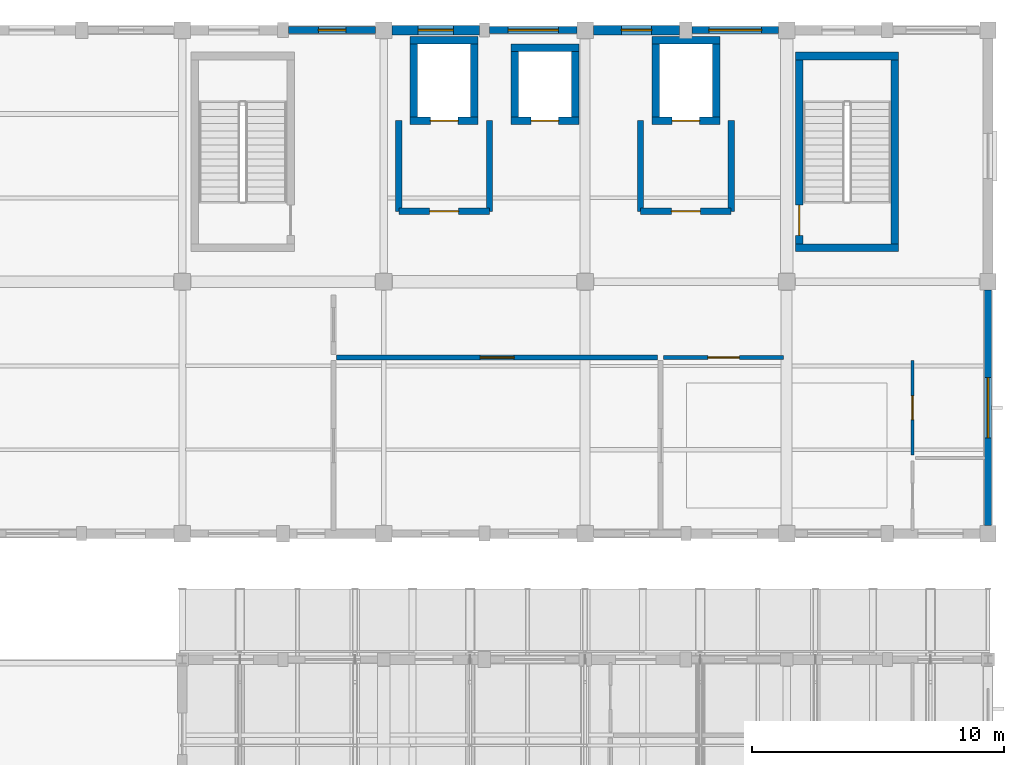
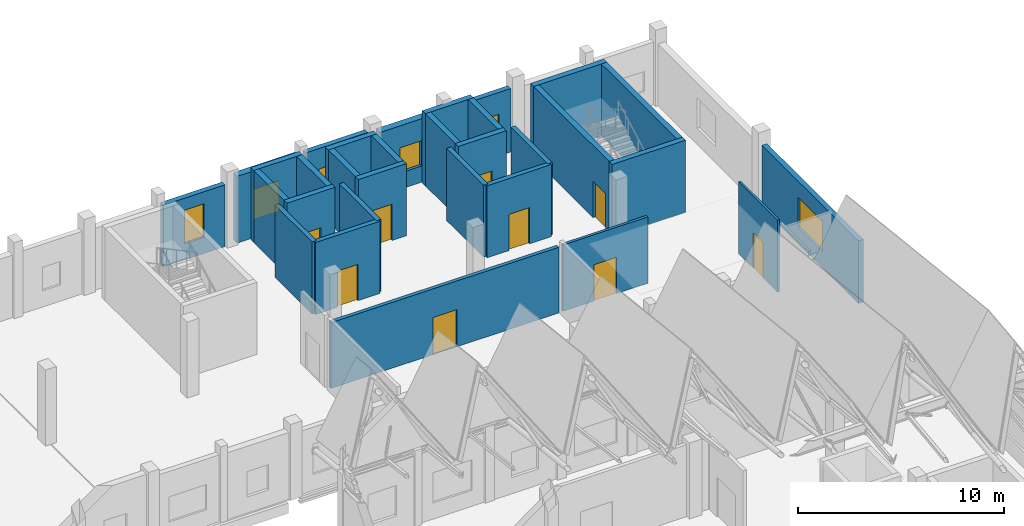
# One storey, part 35 of 48: 31 walls, 9 doors, 6 windows, 15 openings.
"""IFC4 building model written with IfcOpenShell, lengths in metres."""

from ifc_helpers import new_model, si_unit, direction, frame, frame_2d, origin, place, context, subcontext, project, spatial, rectangle, extrude, material, layer, layer_set, type_object, element, fill, save


model = new_model("IFC4")

# Units and contexts
model_context = context("Model", 3, precision=1e-05, world=origin(), true_north=direction((0.0, 1.0)))
body_context = subcontext(model_context, "Body", "Model", "MODEL_VIEW")
ifc_project = project(units=[si_unit("LENGTHUNIT", "METRE"), si_unit("AREAUNIT", "SQUARE_METRE"), si_unit("VOLUMEUNIT", "CUBIC_METRE"), si_unit("PLANEANGLEUNIT", "RADIAN"), si_unit("MASSUNIT", "GRAM", prefix="KILO")], contexts=[model_context])

# Site, building, storey
site_placement = place(None, origin())
site = spatial("IfcSite", under=ifc_project, at=site_placement, CompositionType="ELEMENT")
building_placement = place(site_placement, origin())
building = spatial("IfcBuilding", under=site, at=building_placement, Name="Luwemba Playhouse", CompositionType="ELEMENT")
storey_placement = place(building_placement, frame((0.0, 0.0, 13.800048828125)))
storey = spatial("IfcBuildingStorey", under=building, at=storey_placement, Name="L03", CompositionType="ELEMENT", Elevation=13.800048828125)

# Wall, opening, window
ifc_material_1 = material(Name="Clay facing brick obra vista masonry", Category="masonry")
ifc_layer_1 = layer(ifc_material_1, 0.3798828125)
ifc_layer_set_1 = layer_set([ifc_layer_1], Name="Clay facing brick obra vista masonry")
wall_type_1 = type_object("IfcWallType", Name="WAL-BRK-380", PredefinedType="SOLIDWALL", material=ifc_layer_set_1)
wall_1_placement = place(storey_placement, frame((148.324951171875, 115.0, 0.0), z_axis=(0.0, 0.0, 1.0), x_axis=(1.0, 0.0, 0.0)))
wall_1 = element("IfcWall", 1, at=wall_1_placement, inside=storey, type_object=wall_type_1, Name="L03 V6E exterior facade wall 0456", PredefinedType="SOLIDWALL", context=body_context, shape_type="SweptSolid", body=[
    extrude(rectangle(XDim=3.47509765625, YDim=0.3798828125, at=frame_2d((1.737548828125, 0.0))), origin(), (0.0, 0.0, 1.0), 3.954833984375),
])
opening_1_placement = place(wall_1_placement, frame((1.03759765625, 0.0, 0.949951171875)))
opening_1 = element("IfcOpeningElement", 2, at=opening_1_placement, cuts=wall_1, Name="Opening WN-02", PredefinedType="OPENING", context=body_context, shape_type="SweptSolid", body=[
    extrude(rectangle(XDim=1.39990234375, YDim=1.800048828125, at=frame_2d((0.699951171875, 0.89990234375))), frame((0.0, 0.199951171875, 0.0), z_axis=(0.0, -1.0, 0.0), x_axis=(1.0, 0.0, 0.0)), (0.0, 0.0, 1.0), 0.39990234375),
])
ifc_material_2 = material(Name="Solar-control double glazing in aluminium frame", Category="aluminium")
window_type_1 = type_object("IfcWindowType", Name="WIN-WN-02", PartitioningType="DOUBLE_PANEL_VERTICAL", PredefinedType="WINDOW", material=ifc_material_2)
window_1_placement = place(opening_1_placement, origin())
window_1 = element("IfcWindow", 3, at=window_1_placement, inside=storey, type_object=window_type_1, Name="L03 V6E scheduled window 0396", OverallHeight=1.800048828125, OverallWidth=1.39990234375, PartitioningType="DOUBLE_PANEL_VERTICAL", PredefinedType="WINDOW", context=body_context, shape_type="SweptSolid", body=[
    extrude(rectangle(XDim=1.39990234375, YDim=1.800048828125, at=frame_2d((0.699951171875, 0.89990234375))), frame((0.0, 0.030029296875, 0.0), z_axis=(0.0, -1.0, 0.0), x_axis=(1.0, 0.0, 0.0)), (0.0, 0.0, 1.0), 0.06005859375),
])
fill(opening_1, window_1)

wall_2_placement = place(storey_placement, frame((156.324951171875, 115.0, 0.0), z_axis=(0.0, 0.0, 1.0), x_axis=(1.0, 0.0, 0.0)))
wall_2 = element("IfcWall", 4, at=wall_2_placement, inside=storey, type_object=wall_type_1, Name="L03 V6E exterior facade wall 0458", PredefinedType="SOLIDWALL", context=body_context, shape_type="SweptSolid", body=[
    extrude(rectangle(XDim=3.425048828125, YDim=0.3798828125, at=frame_2d((1.71240234375, 0.0))), origin(), (0.0, 0.0, 1.0), 3.7548828125),
])
opening_2_placement = place(wall_2_placement, frame((1.112548828125, 0.0, 0.949951171875)))
opening_2 = element("IfcOpeningElement", 5, at=opening_2_placement, cuts=wall_2, Name="Opening WN-08", PredefinedType="OPENING", context=body_context, shape_type="SweptSolid", body=[
    extrude(rectangle(XDim=1.199951171875, YDim=1.5, at=frame_2d((0.60009765625, 0.75))), frame((0.0, 0.199951171875, 0.0), z_axis=(0.0, -1.0, 0.0), x_axis=(1.0, 0.0, 0.0)), (0.0, 0.0, 1.0), 0.39990234375),
])
window_type_2 = type_object("IfcWindowType", Name="WIN-WN-08", PartitioningType="SINGLE_PANEL", PredefinedType="WINDOW", material=ifc_material_2)
window_2_placement = place(opening_2_placement, origin())
window_2 = element("IfcWindow", 6, at=window_2_placement, inside=storey, type_object=window_type_2, Name="L03 V6E scheduled window 0398", OverallHeight=1.5, OverallWidth=1.199951171875, PartitioningType="SINGLE_PANEL", PredefinedType="WINDOW", context=body_context, shape_type="SweptSolid", body=[
    extrude(rectangle(XDim=1.199951171875, YDim=1.5, at=frame_2d((0.60009765625, 0.75))), frame((0.0, 0.030029296875, 0.0), z_axis=(0.0, -1.0, 0.0), x_axis=(1.0, 0.0, 0.0)), (0.0, 0.0, 1.0), 0.06005859375),
])
fill(opening_2, window_2)

# Walls
ifc_material_3 = material(Name="Concrete C40/50", Category="concrete")
ifc_layer_2 = layer(ifc_material_3, 0.300048828125)
ifc_layer_set_2 = layer_set([ifc_layer_2], Name="Concrete C40/50")
wall_type_2 = type_object("IfcWallType", Name="WAL-CORE-300", PredefinedType="SHEAR", material=ifc_layer_set_2)
for number, where, z_axis, x_axis, name in (
    (7, (164.35009765625, 106.35009765625, 0.0), (0.0, 0.0, 1.0), (1.0, 0.0, 0.0), "L03 ST-10 stair core wall S"),
    (8, (168.449951171875, 113.969970703125, 0.0), (0.0, 0.0, 1.0), (-1.0, 0.0, 0.0), "L03 ST-10 stair core wall N"),
):
    element("IfcWall", number, at=place(storey_placement, frame(where, z_axis=z_axis, x_axis=x_axis)), inside=storey, type_object=wall_type_2, Name=name, PredefinedType="SHEAR", context=body_context, shape_type="SweptSolid", body=[
        extrude(rectangle(XDim=4.099853515625, YDim=0.300048828125, at=frame_2d((2.0498046875, 0.0))), origin(), (0.0, 0.0, 1.0), 4.27001953125),
    ])

# Wall, opening, door
wall_3_placement = place(storey_placement, frame((164.5, 113.820068359375, 0.0), z_axis=(0.0, 0.0, 1.0), x_axis=(0.0, -1.0, 0.0)))
wall_3 = element("IfcWall", 9, at=wall_3_placement, inside=storey, type_object=wall_type_2, Name="L03 ST-10 stair core wall W", PredefinedType="SHEAR", context=body_context, shape_type="SweptSolid", body=[
    extrude(rectangle(XDim=7.320068359375, YDim=0.300048828125, at=frame_2d((3.66015625, 0.0))), origin(), (0.0, 0.0, 1.0), 4.27001953125),
])
opening_3_placement = place(wall_3_placement, frame((5.77001953125, 0.0, 0.0)))
opening_3 = element("IfcOpeningElement", 10, at=opening_3_placement, cuts=wall_3, Name="Opening D-STAIR3", PredefinedType="OPENING", context=body_context, shape_type="SweptSolid", body=[
    extrude(rectangle(XDim=1.199951171875, YDim=2.14990234375, at=frame_2d((0.60009765625, 1.074951171875))), frame((0.0, 0.159912109375, 0.0), z_axis=(0.0, -1.0, 0.0), x_axis=(1.0, 0.0, 0.0)), (0.0, 0.0, 1.0), 0.320068359375),
])
ifc_material_4 = material(Name="Hardwood acoustic fire door leaf", Category="wood")
door_type_1 = type_object("IfcDoorType", Name="DR-STAIR-120", OperationType="NOTDEFINED", PredefinedType="DOOR", material=ifc_material_4)
door_1_placement = place(opening_3_placement, origin())
door_1 = element("IfcDoor", 11, at=door_1_placement, inside=storey, type_object=door_type_1, Name="L03 ST-10 protected stair entry door", OperationType="SINGLE_SWING_LEFT", OverallHeight=2.14990234375, OverallWidth=1.199951171875, PredefinedType="DOOR", context=body_context, shape_type="SweptSolid", body=[
    extrude(rectangle(XDim=1.199951171875, YDim=2.14990234375, at=frame_2d((0.60009765625, 1.074951171875))), frame((0.0, 0.02490234375, 0.0), z_axis=(0.0, -1.0, 0.0), x_axis=(1.0, 0.0, 0.0)), (0.0, 0.0, 1.0), 0.050048828125),
])
fill(opening_3, door_1)

# Wall
wall_4_placement = place(storey_placement, frame((168.300048828125, 113.820068359375, 0.0), z_axis=(0.0, 0.0, 1.0), x_axis=(0.0, -1.0, 0.0)))
element("IfcWall", 12, at=wall_4_placement, inside=storey, type_object=wall_type_2, Name="L03 ST-10 stair core wall E", PredefinedType="SHEAR", context=body_context, shape_type="SweptSolid", body=[
    extrude(rectangle(XDim=7.320068359375, YDim=0.300048828125, at=frame_2d((3.66015625, 0.0))), origin(), (0.0, 0.0, 1.0), 4.27001953125),
])

# Wall, opening, door
wall_5_placement = place(storey_placement, frame((149.050048828125, 111.39990234375, 0.0), z_axis=(0.0, 0.0, 1.0), x_axis=(1.0, 0.0, 0.0)))
wall_5 = element("IfcWall", 13, at=wall_5_placement, inside=storey, type_object=wall_type_2, Name="L03 Lift LF-FF1 shaft wall S", PredefinedType="SHEAR", context=body_context, shape_type="SweptSolid", body=[
    extrude(rectangle(XDim=2.699951171875, YDim=0.300048828125, at=frame_2d((1.35009765625, 0.0))), origin(), (0.0, 0.0, 1.0), 4.27001953125),
])
opening_4_placement = place(wall_5_placement, frame((0.800048828125, 0.0, 0.0)))
opening_4 = element("IfcOpeningElement", 14, at=opening_4_placement, cuts=wall_5, Name="Opening LD-01", PredefinedType="OPENING", context=body_context, shape_type="SweptSolid", body=[
    extrude(rectangle(XDim=1.10009765625, YDim=2.14990234375, at=frame_2d((0.550048828125, 1.074951171875))), frame((0.0, 0.159912109375, 0.0), z_axis=(0.0, -1.0, 0.0), x_axis=(1.0, 0.0, 0.0)), (0.0, 0.0, 1.0), 0.320068359375),
])
ifc_material_5 = material(Name="Stainless steel lift landing doors", Category="steel")
door_type_2 = type_object("IfcDoorType", Name="DR-LIFT-110", OperationType="NOTDEFINED", PredefinedType="DOOR", material=ifc_material_5)
door_2_placement = place(opening_4_placement, origin())
door_2 = element("IfcDoor", 15, at=door_2_placement, inside=storey, type_object=door_type_2, Name="L03 Lift LF-FF1 landing door", OperationType="DOUBLE_DOOR_SLIDING", OverallHeight=2.14990234375, OverallWidth=1.10009765625, PredefinedType="DOOR", context=body_context, shape_type="SweptSolid", body=[
    extrude(rectangle(XDim=1.10009765625, YDim=2.14990234375, at=frame_2d((0.550048828125, 1.074951171875))), frame((0.0, 0.02490234375, 0.0), z_axis=(0.0, -1.0, 0.0), x_axis=(1.0, 0.0, 0.0)), (0.0, 0.0, 1.0), 0.050048828125),
])
fill(opening_4, door_2)

# Walls
wall_6_placement = place(storey_placement, frame((151.75, 114.60009765625, 0.0), z_axis=(0.0, 0.0, 1.0), x_axis=(-1.0, 0.0, 0.0)))
element("IfcWall", 16, at=wall_6_placement, inside=storey, type_object=wall_type_2, Name="L03 Lift LF-FF1 shaft wall N", PredefinedType="SHEAR", context=body_context, shape_type="SweptSolid", body=[
    extrude(rectangle(XDim=2.699951171875, YDim=0.300048828125, at=frame_2d((1.35009765625, 0.0))), origin(), (0.0, 0.0, 1.0), 4.27001953125),
])
for number, where, z_axis, x_axis, name in (
    (17, (149.199951171875, 111.550048828125, 0.0), (0.0, 0.0, 1.0), (0.0, 1.0, 0.0), "L03 Lift LF-FF1 shaft wall W"),
    (18, (151.60009765625, 114.449951171875, 0.0), (0.0, 0.0, 1.0), (0.0, -1.0, 0.0), "L03 Lift LF-FF1 shaft wall E"),
):
    element("IfcWall", number, at=place(storey_placement, frame(where, z_axis=z_axis, x_axis=x_axis)), inside=storey, type_object=wall_type_2, Name=name, PredefinedType="SHEAR", context=body_context, shape_type="SweptSolid", body=[
        extrude(rectangle(XDim=2.89990234375, YDim=0.300048828125, at=frame_2d((1.449951171875, 0.0))), origin(), (0.0, 0.0, 1.0), 4.27001953125),
    ])

# Wall, opening, door
wall_7_placement = place(storey_placement, frame((158.64990234375, 111.39990234375, 0.0), z_axis=(0.0, 0.0, 1.0), x_axis=(1.0, 0.0, 0.0)))
wall_7 = element("IfcWall", 19, at=wall_7_placement, inside=storey, type_object=wall_type_2, Name="L03 Lift LF-FF2 shaft wall S", PredefinedType="SHEAR", context=body_context, shape_type="SweptSolid", body=[
    extrude(rectangle(XDim=2.7001953125, YDim=0.300048828125, at=frame_2d((1.35009765625, 0.0))), origin(), (0.0, 0.0, 1.0), 4.27001953125),
])
opening_5_placement = place(wall_7_placement, frame((0.800048828125, 0.0, 0.0)))
opening_5 = element("IfcOpeningElement", 20, at=opening_5_placement, cuts=wall_7, Name="Opening LD-01", PredefinedType="OPENING", context=body_context, shape_type="SweptSolid", body=[
    extrude(rectangle(XDim=1.10009765625, YDim=2.14990234375, at=frame_2d((0.550048828125, 1.074951171875))), frame((0.0, 0.159912109375, 0.0), z_axis=(0.0, -1.0, 0.0), x_axis=(1.0, 0.0, 0.0)), (0.0, 0.0, 1.0), 0.320068359375),
])
door_3_placement = place(opening_5_placement, origin())
door_3 = element("IfcDoor", 21, at=door_3_placement, inside=storey, type_object=door_type_2, Name="L03 Lift LF-FF2 landing door", OperationType="DOUBLE_DOOR_SLIDING", OverallHeight=2.14990234375, OverallWidth=1.10009765625, PredefinedType="DOOR", context=body_context, shape_type="SweptSolid", body=[
    extrude(rectangle(XDim=1.10009765625, YDim=2.14990234375, at=frame_2d((0.550048828125, 1.074951171875))), frame((0.0, 0.02490234375, 0.0), z_axis=(0.0, -1.0, 0.0), x_axis=(1.0, 0.0, 0.0)), (0.0, 0.0, 1.0), 0.050048828125),
])
fill(opening_5, door_3)

# Walls
wall_8_placement = place(storey_placement, frame((161.35009765625, 114.60009765625, 0.0), z_axis=(0.0, 0.0, 1.0), x_axis=(-1.0, 0.0, 0.0)))
element("IfcWall", 22, at=wall_8_placement, inside=storey, type_object=wall_type_2, Name="L03 Lift LF-FF2 shaft wall N", PredefinedType="SHEAR", context=body_context, shape_type="SweptSolid", body=[
    extrude(rectangle(XDim=2.7001953125, YDim=0.300048828125, at=frame_2d((1.35009765625, 0.0))), origin(), (0.0, 0.0, 1.0), 4.27001953125),
])
for number, where, z_axis, x_axis, name in (
    (23, (158.800048828125, 111.550048828125, 0.0), (0.0, 0.0, 1.0), (0.0, 1.0, 0.0), "L03 Lift LF-FF2 shaft wall W"),
    (24, (161.199951171875, 114.449951171875, 0.0), (0.0, 0.0, 1.0), (0.0, -1.0, 0.0), "L03 Lift LF-FF2 shaft wall E"),
):
    element("IfcWall", number, at=place(storey_placement, frame(where, z_axis=z_axis, x_axis=x_axis)), inside=storey, type_object=wall_type_2, Name=name, PredefinedType="SHEAR", context=body_context, shape_type="SweptSolid", body=[
        extrude(rectangle(XDim=2.89990234375, YDim=0.300048828125, at=frame_2d((1.449951171875, 0.0))), origin(), (0.0, 0.0, 1.0), 4.27001953125),
    ])

# Wall, opening, door
wall_9_placement = place(storey_placement, frame((153.050048828125, 111.39990234375, 0.0), z_axis=(0.0, 0.0, 1.0), x_axis=(1.0, 0.0, 0.0)))
wall_9 = element("IfcWall", 25, at=wall_9_placement, inside=storey, type_object=wall_type_2, Name="L03 Lift LF-P6 shaft wall S", PredefinedType="SHEAR", context=body_context, shape_type="SweptSolid", body=[
    extrude(rectangle(XDim=2.699951171875, YDim=0.300048828125, at=frame_2d((1.35009765625, 0.0))), origin(), (0.0, 0.0, 1.0), 4.27001953125),
])
opening_6_placement = place(wall_9_placement, frame((0.800048828125, 0.0, 0.0)))
opening_6 = element("IfcOpeningElement", 26, at=opening_6_placement, cuts=wall_9, Name="Opening LD-01", PredefinedType="OPENING", context=body_context, shape_type="SweptSolid", body=[
    extrude(rectangle(XDim=1.10009765625, YDim=2.14990234375, at=frame_2d((0.550048828125, 1.074951171875))), frame((0.0, 0.159912109375, 0.0), z_axis=(0.0, -1.0, 0.0), x_axis=(1.0, 0.0, 0.0)), (0.0, 0.0, 1.0), 0.320068359375),
])
door_4_placement = place(opening_6_placement, origin())
door_4 = element("IfcDoor", 27, at=door_4_placement, inside=storey, type_object=door_type_2, Name="L03 Lift LF-P6 landing door", OperationType="DOUBLE_DOOR_SLIDING", OverallHeight=2.14990234375, OverallWidth=1.10009765625, PredefinedType="DOOR", context=body_context, shape_type="SweptSolid", body=[
    extrude(rectangle(XDim=1.10009765625, YDim=2.14990234375, at=frame_2d((0.550048828125, 1.074951171875))), frame((0.0, 0.02490234375, 0.0), z_axis=(0.0, -1.0, 0.0), x_axis=(1.0, 0.0, 0.0)), (0.0, 0.0, 1.0), 0.050048828125),
])
fill(opening_6, door_4)

# Walls
wall_10_placement = place(storey_placement, frame((155.75, 114.300048828125, 0.0), z_axis=(0.0, 0.0, 1.0), x_axis=(-1.0, 0.0, 0.0)))
element("IfcWall", 28, at=wall_10_placement, inside=storey, type_object=wall_type_2, Name="L03 Lift LF-P6 shaft wall N", PredefinedType="SHEAR", context=body_context, shape_type="SweptSolid", body=[
    extrude(rectangle(XDim=2.699951171875, YDim=0.300048828125, at=frame_2d((1.35009765625, 0.0))), origin(), (0.0, 0.0, 1.0), 4.27001953125),
])
for number, where, z_axis, x_axis, name in (
    (29, (153.199951171875, 111.550048828125, 0.0), (0.0, 0.0, 1.0), (0.0, 1.0, 0.0), "L03 Lift LF-P6 shaft wall W"),
    (30, (155.60009765625, 114.14990234375, 0.0), (0.0, 0.0, 1.0), (0.0, -1.0, 0.0), "L03 Lift LF-P6 shaft wall E"),
):
    element("IfcWall", number, at=place(storey_placement, frame(where, z_axis=z_axis, x_axis=x_axis)), inside=storey, type_object=wall_type_2, Name=name, PredefinedType="SHEAR", context=body_context, shape_type="SweptSolid", body=[
        extrude(rectangle(XDim=2.599853515625, YDim=0.300048828125, at=frame_2d((1.2998046875, 0.0))), origin(), (0.0, 0.0, 1.0), 4.27001953125),
    ])

# Wall, opening, door
ifc_layer_3 = layer(ifc_material_3, 0.25)
ifc_layer_set_3 = layer_set([ifc_layer_3], Name="Concrete C40/50")
wall_type_3 = type_object("IfcWallType", Name="WAL-FFL-250", PredefinedType="SOLIDWALL", material=ifc_layer_set_3)
wall_11_placement = place(storey_placement, frame((152.199951171875, 107.800048828125, 0.0), z_axis=(0.0, 0.0, 1.0), x_axis=(-1.0, 0.0, 0.0)))
wall_11 = element("IfcWall", 31, at=wall_11_placement, inside=storey, type_object=wall_type_3, Name="L03 LF-FF1 firefighting lift lobby wall S", PredefinedType="SOLIDWALL", context=body_context, shape_type="SweptSolid", body=[
    extrude(rectangle(XDim=3.599853515625, YDim=0.25, at=frame_2d((1.7998046875, 0.0))), origin(), (0.0, 0.0, 1.0), 4.27001953125),
])
opening_7_placement = place(wall_11_placement, frame((1.22509765625, 0.0, 0.0)))
opening_7 = element("IfcOpeningElement", 32, at=opening_7_placement, cuts=wall_11, Name="Opening D-FD60", PredefinedType="OPENING", context=body_context, shape_type="SweptSolid", body=[
    extrude(rectangle(XDim=1.14990234375, YDim=2.14990234375, at=frame_2d((0.574951171875, 1.074951171875))), frame((0.0, 0.135009765625, 0.0), z_axis=(0.0, -1.0, 0.0), x_axis=(1.0, 0.0, 0.0)), (0.0, 0.0, 1.0), 0.27001953125),
])
ifc_material_6 = material(Name="Hardwood smoke-sealed fire door leaf", Category="wood")
door_type_3 = type_object("IfcDoorType", Name="DR-FFL-115", OperationType="NOTDEFINED", PredefinedType="DOOR", material=ifc_material_6)
door_5_placement = place(opening_7_placement, origin())
door_5 = element("IfcDoor", 33, at=door_5_placement, inside=storey, type_object=door_type_3, Name="L03 LF-FF1 firefighting lobby smoke door", OperationType="SINGLE_SWING_LEFT", OverallHeight=2.14990234375, OverallWidth=1.14990234375, PredefinedType="DOOR", context=body_context, shape_type="SweptSolid", body=[
    extrude(rectangle(XDim=1.14990234375, YDim=2.14990234375, at=frame_2d((0.574951171875, 1.074951171875))), frame((0.0, 0.02490234375, 0.0), z_axis=(0.0, -1.0, 0.0), x_axis=(1.0, 0.0, 0.0)), (0.0, 0.0, 1.0), 0.050048828125),
])
fill(opening_7, door_5)

# Walls
for number, where, z_axis, x_axis, name in (
    (34, (148.60009765625, 107.800048828125, 0.0), (0.0, 0.0, 1.0), (0.0, 1.0, 0.0), "L03 LF-FF1 firefighting lift lobby wall W"),
    (35, (152.199951171875, 111.39990234375, 0.0), (0.0, 0.0, 1.0), (0.0, -1.0, 0.0), "L03 LF-FF1 firefighting lift lobby wall E"),
):
    element("IfcWall", number, at=place(storey_placement, frame(where, z_axis=z_axis, x_axis=x_axis)), inside=storey, type_object=wall_type_3, Name=name, PredefinedType="SOLIDWALL", context=body_context, shape_type="SweptSolid", body=[
        extrude(rectangle(XDim=3.599853515625, YDim=0.25, at=frame_2d((1.7998046875, 0.0))), origin(), (0.0, 0.0, 1.0), 4.27001953125),
    ])

# Wall, opening, door
wall_12_placement = place(storey_placement, frame((161.800048828125, 107.800048828125, 0.0), z_axis=(0.0, 0.0, 1.0), x_axis=(-1.0, 0.0, 0.0)))
wall_12 = element("IfcWall", 36, at=wall_12_placement, inside=storey, type_object=wall_type_3, Name="L03 LF-FF2 firefighting lift lobby wall S", PredefinedType="SOLIDWALL", context=body_context, shape_type="SweptSolid", body=[
    extrude(rectangle(XDim=3.60009765625, YDim=0.25, at=frame_2d((1.800048828125, 0.0))), origin(), (0.0, 0.0, 1.0), 4.27001953125),
])
opening_8_placement = place(wall_12_placement, frame((1.22509765625, 0.0, 0.0)))
opening_8 = element("IfcOpeningElement", 37, at=opening_8_placement, cuts=wall_12, Name="Opening D-FD60", PredefinedType="OPENING", context=body_context, shape_type="SweptSolid", body=[
    extrude(rectangle(XDim=1.14990234375, YDim=2.14990234375, at=frame_2d((0.574951171875, 1.074951171875))), frame((0.0, 0.135009765625, 0.0), z_axis=(0.0, -1.0, 0.0), x_axis=(1.0, 0.0, 0.0)), (0.0, 0.0, 1.0), 0.27001953125),
])
door_6_placement = place(opening_8_placement, origin())
door_6 = element("IfcDoor", 38, at=door_6_placement, inside=storey, type_object=door_type_3, Name="L03 LF-FF2 firefighting lobby smoke door", OperationType="SINGLE_SWING_RIGHT", OverallHeight=2.14990234375, OverallWidth=1.14990234375, PredefinedType="DOOR", context=body_context, shape_type="SweptSolid", body=[
    extrude(rectangle(XDim=1.14990234375, YDim=2.14990234375, at=frame_2d((0.574951171875, 1.074951171875))), frame((0.0, 0.02490234375, 0.0), z_axis=(0.0, -1.0, 0.0), x_axis=(1.0, 0.0, 0.0)), (0.0, 0.0, 1.0), 0.050048828125),
])
fill(opening_8, door_6)

# Walls
for number, where, z_axis, x_axis, name in (
    (39, (158.199951171875, 107.800048828125, 0.0), (0.0, 0.0, 1.0), (0.0, 1.0, 0.0), "L03 LF-FF2 firefighting lift lobby wall W"),
    (40, (161.800048828125, 111.39990234375, 0.0), (0.0, 0.0, 1.0), (0.0, -1.0, 0.0), "L03 LF-FF2 firefighting lift lobby wall E"),
):
    element("IfcWall", number, at=place(storey_placement, frame(where, z_axis=z_axis, x_axis=x_axis)), inside=storey, type_object=wall_type_3, Name=name, PredefinedType="SOLIDWALL", context=body_context, shape_type="SweptSolid", body=[
        extrude(rectangle(XDim=3.599853515625, YDim=0.25, at=frame_2d((1.7998046875, 0.0))), origin(), (0.0, 0.0, 1.0), 4.27001953125),
    ])

# Wall, opening, door
ifc_material_7 = material(Name="Moisture-resistant sanitary partition", Category="gypsum")
ifc_layer_4 = layer(ifc_material_7, 0.1201171875)
ifc_layer_set_4 = layer_set([ifc_layer_4], Name="Moisture-resistant sanitary partition")
wall_type_4 = type_object("IfcWallType", Name="WAL-INT-120", PredefinedType="PARTITIONING", material=ifc_layer_set_4)
wall_13_placement = place(storey_placement, frame((169.0, 98.1201171875, 0.0), z_axis=(0.0, 0.0, 1.0), x_axis=(0.0, 1.0, 0.0)))
wall_13 = element("IfcWall", 41, at=wall_13_placement, inside=storey, type_object=wall_type_4, Name="L03 V6E interior partition 0214", PredefinedType="PARTITIONING", context=body_context, shape_type="SweptSolid", body=[
    extrude(rectangle(XDim=3.759765625, YDim=0.1201171875, at=frame_2d((1.8798828125, 0.0))), origin(), (0.0, 0.0, 1.0), 4.27001953125),
])
opening_9_placement = place(wall_13_placement, frame((1.405029296875, 0.0, 0.0)))
opening_9 = element("IfcOpeningElement", 42, at=opening_9_placement, cuts=wall_13, Name="Opening D-WC1", PredefinedType="OPENING", context=body_context, shape_type="SweptSolid", body=[
    extrude(rectangle(XDim=0.949951171875, YDim=2.10009765625, at=frame_2d((0.47509765625, 1.050048828125))), frame((0.0, 0.070068359375, 0.0), z_axis=(0.0, -1.0, 0.0), x_axis=(1.0, 0.0, 0.0)), (0.0, 0.0, 1.0), 0.14013671875),
])
ifc_material_8 = material(Name="Moisture-resistant laminate door", Category="wood")
door_type_4 = type_object("IfcDoorType", Name="DR-WC-095", OperationType="NOTDEFINED", PredefinedType="DOOR", material=ifc_material_8)
door_7_placement = place(opening_9_placement, origin())
door_7 = element("IfcDoor", 43, at=door_7_placement, inside=storey, type_object=door_type_4, Name="L03 Dramaturgy Seminar Room to Conservatory Level 3 Toilets door", OperationType="SINGLE_SWING_RIGHT", OverallHeight=2.10009765625, OverallWidth=0.949951171875, PredefinedType="DOOR", context=body_context, shape_type="SweptSolid", body=[
    extrude(rectangle(XDim=0.949951171875, YDim=2.10009765625, at=frame_2d((0.47509765625, 1.050048828125))), frame((0.0, 0.02490234375, 0.0), z_axis=(0.0, -1.0, 0.0), x_axis=(1.0, 0.0, 0.0)), (0.0, 0.0, 1.0), 0.050048828125),
])
fill(opening_9, door_7)

ifc_material_9 = material(Name="Acoustic gypsum stud partition", Category="gypsum")
ifc_layer_5 = layer(ifc_material_9, 0.14990234375)
ifc_layer_set_5 = layer_set([ifc_layer_5], Name="Acoustic gypsum stud partition")
wall_type_5 = type_object("IfcWallType", Name="WAL-INT-150", PredefinedType="PARTITIONING", material=ifc_layer_set_5)
wall_14_placement = place(storey_placement, frame((159.1201171875, 102.0, 0.0), z_axis=(0.0, 0.0, 1.0), x_axis=(1.0, 0.0, 0.0)))
wall_14 = element("IfcWall", 44, at=wall_14_placement, inside=storey, type_object=wall_type_5, Name="L03 V6E interior partition 0212", PredefinedType="PARTITIONING", context=body_context, shape_type="SweptSolid", body=[
    extrude(rectangle(XDim=4.759765625, YDim=0.14990234375, at=frame_2d((2.3798828125, 0.0))), origin(), (0.0, 0.0, 1.0), 3.925048828125),
])
opening_10_placement = place(wall_14_placement, frame((1.7548828125, 0.0, 0.0)))
opening_10 = element("IfcOpeningElement", 45, at=opening_10_placement, cuts=wall_14, Name="Opening D-IN1", PredefinedType="OPENING", context=body_context, shape_type="SweptSolid", body=[
    extrude(rectangle(XDim=1.25, YDim=2.14990234375, at=frame_2d((0.625, 1.074951171875))), frame((0.0, 0.0849609375, 0.0), z_axis=(0.0, -1.0, 0.0), x_axis=(1.0, 0.0, 0.0)), (0.0, 0.0, 1.0), 0.169921875),
])
ifc_material_10 = material(Name="Solid hardwood interior door", Category="wood")
door_type_5 = type_object("IfcDoorType", Name="DR-INT-125", OperationType="NOTDEFINED", PredefinedType="DOOR", material=ifc_material_10)
door_8_placement = place(opening_10_placement, origin())
door_8 = element("IfcDoor", 46, at=door_8_placement, inside=storey, type_object=door_type_5, Name="L03 Dramaturgy Seminar Room to Conservatory Level 3 Corridor door", OperationType="SINGLE_SWING_RIGHT", OverallHeight=2.14990234375, OverallWidth=1.25, PredefinedType="DOOR", context=body_context, shape_type="SweptSolid", body=[
    extrude(rectangle(XDim=1.25, YDim=2.14990234375, at=frame_2d((0.625, 1.074951171875))), frame((0.0, 0.02490234375, 0.0), z_axis=(0.0, -1.0, 0.0), x_axis=(1.0, 0.0, 0.0)), (0.0, 0.0, 1.0), 0.050048828125),
])
fill(opening_10, door_8)

ifc_material_11 = material(Name="Clay acoustic masonry blockwork", Category="masonry")
ifc_layer_6 = layer(ifc_material_11, 0.199951171875)
ifc_layer_set_6 = layer_set([ifc_layer_6], Name="Clay acoustic masonry blockwork")
wall_type_6 = type_object("IfcWallType", Name="WAL-INT-200", PredefinedType="PARTITIONING", material=ifc_layer_set_6)
wall_15_placement = place(storey_placement, frame((146.1201171875, 102.0, 0.0), z_axis=(0.0, 0.0, 1.0), x_axis=(1.0, 0.0, 0.0)))
wall_15 = element("IfcWall", 47, at=wall_15_placement, inside=storey, type_object=wall_type_6, Name="L03 V6E interior partition 0211", PredefinedType="PARTITIONING", context=body_context, shape_type="SweptSolid", body=[
    extrude(rectangle(XDim=12.759765625, YDim=0.199951171875, at=frame_2d((6.3798828125, 0.0))), origin(), (0.0, 0.0, 1.0), 3.89501953125),
])
opening_11_placement = place(wall_15_placement, frame((5.705078125, 0.0, 0.0)))
opening_11 = element("IfcOpeningElement", 48, at=opening_11_placement, cuts=wall_15, Name="Opening D-STU1", PredefinedType="OPENING", context=body_context, shape_type="SweptSolid", body=[
    extrude(rectangle(XDim=1.35009765625, YDim=2.199951171875, at=frame_2d((0.675048828125, 1.10009765625))), frame((0.0, 0.10986328125, 0.0), z_axis=(0.0, -1.0, 0.0), x_axis=(1.0, 0.0, 0.0)), (0.0, 0.0, 1.0), 0.219970703125),
])
ifc_material_12 = material(Name="Acoustic studio door", Category="wood")
door_type_6 = type_object("IfcDoorType", Name="DR-STU-135", OperationType="NOTDEFINED", PredefinedType="DOOR", material=ifc_material_12)
door_9_placement = place(opening_11_placement, origin())
door_9 = element("IfcDoor", 49, at=door_9_placement, inside=storey, type_object=door_type_6, Name="L03 Quiet Listening and Libretto Study Room to Conservatory Level 3 Corridor door", OperationType="SINGLE_SWING_LEFT", OverallHeight=2.199951171875, OverallWidth=1.35009765625, PredefinedType="DOOR", context=body_context, shape_type="SweptSolid", body=[
    extrude(rectangle(XDim=1.35009765625, YDim=2.199951171875, at=frame_2d((0.675048828125, 1.10009765625))), frame((0.0, 0.02490234375, 0.0), z_axis=(0.0, -1.0, 0.0), x_axis=(1.0, 0.0, 0.0)), (0.0, 0.0, 1.0), 0.050048828125),
])
fill(opening_11, door_9)

# Wall, opening, window
ifc_material_13 = material(Name="Structural timber GL24h infill", Category="wood")
ifc_layer_7 = layer(ifc_material_13, 0.280029296875)
ifc_layer_set_7 = layer_set([ifc_layer_7], Name="Structural timber GL24h infill")
wall_type_7 = type_object("IfcWallType", Name="WAL-TIM-280", PredefinedType="SOLIDWALL", material=ifc_layer_set_7)
wall_16_placement = place(storey_placement, frame((144.22509765625, 115.0, 0.0), z_axis=(0.0, 0.0, 1.0), x_axis=(1.0, 0.0, 0.0)))
wall_16 = element("IfcWall", 50, at=wall_16_placement, inside=storey, type_object=wall_type_7, Name="L03 V6E exterior facade wall 0455", PredefinedType="SOLIDWALL", context=body_context, shape_type="SweptSolid", body=[
    extrude(rectangle(XDim=3.449951171875, YDim=0.280029296875, at=frame_2d((1.72509765625, 0.0))), origin(), (0.0, 0.0, 1.0), 3.655029296875),
])
opening_12_placement = place(wall_16_placement, frame((1.175048828125, 0.0, 0.949951171875)))
opening_12 = element("IfcOpeningElement", 51, at=opening_12_placement, cuts=wall_16, Name="Opening WN-19", PredefinedType="OPENING", context=body_context, shape_type="SweptSolid", body=[
    extrude(rectangle(XDim=1.10009765625, YDim=2.0, at=frame_2d((0.550048828125, 1.0))), frame((0.0, 0.14990234375, 0.0), z_axis=(0.0, -1.0, 0.0), x_axis=(1.0, 0.0, 0.0)), (0.0, 0.0, 1.0), 0.300048828125),
])
window_type_3 = type_object("IfcWindowType", Name="WIN-WN-19", PartitioningType="SINGLE_PANEL", PredefinedType="WINDOW", material=ifc_material_2)
window_3_placement = place(opening_12_placement, origin())
window_3 = element("IfcWindow", 52, at=window_3_placement, inside=storey, type_object=window_type_3, Name="L03 V6E scheduled window 0395", OverallHeight=2.0, OverallWidth=1.10009765625, PartitioningType="SINGLE_PANEL", PredefinedType="WINDOW", context=body_context, shape_type="SweptSolid", body=[
    extrude(rectangle(XDim=1.10009765625, YDim=2.0, at=frame_2d((0.550048828125, 1.0))), frame((0.0, 0.030029296875, 0.0), z_axis=(0.0, -1.0, 0.0), x_axis=(1.0, 0.0, 0.0)), (0.0, 0.0, 1.0), 0.06005859375),
])
fill(opening_12, window_3)

wall_17_placement = place(storey_placement, frame((152.199951171875, 115.0, 0.0), z_axis=(0.0, 0.0, 1.0), x_axis=(1.0, 0.0, 0.0)))
wall_17 = element("IfcWall", 53, at=wall_17_placement, inside=storey, type_object=wall_type_7, Name="L03 V6E exterior facade wall 0457", PredefinedType="SOLIDWALL", context=body_context, shape_type="SweptSolid", body=[
    extrude(rectangle(XDim=3.47509765625, YDim=0.280029296875, at=frame_2d((1.737548828125, 0.0))), origin(), (0.0, 0.0, 1.0), 3.954833984375),
])
opening_13_placement = place(wall_17_placement, frame((0.737548828125, 0.0, 0.949951171875)))
opening_13 = element("IfcOpeningElement", 54, at=opening_13_placement, cuts=wall_17, Name="Opening WN-05", PredefinedType="OPENING", context=body_context, shape_type="SweptSolid", body=[
    extrude(rectangle(XDim=2.0, YDim=1.800048828125, at=frame_2d((1.0, 0.89990234375))), frame((0.0, 0.14990234375, 0.0), z_axis=(0.0, -1.0, 0.0), x_axis=(1.0, 0.0, 0.0)), (0.0, 0.0, 1.0), 0.300048828125),
])
window_type_4 = type_object("IfcWindowType", Name="WIN-WN-05", PartitioningType="TRIPLE_PANEL_VERTICAL", PredefinedType="WINDOW", material=ifc_material_2)
window_4_placement = place(opening_13_placement, origin())
window_4 = element("IfcWindow", 55, at=window_4_placement, inside=storey, type_object=window_type_4, Name="L03 V6E scheduled window 0397", OverallHeight=1.800048828125, OverallWidth=2.0, PartitioningType="TRIPLE_PANEL_VERTICAL", PredefinedType="WINDOW", context=body_context, shape_type="SweptSolid", body=[
    extrude(rectangle(XDim=2.0, YDim=1.800048828125, at=frame_2d((1.0, 0.89990234375))), frame((0.0, 0.030029296875, 0.0), z_axis=(0.0, -1.0, 0.0), x_axis=(1.0, 0.0, 0.0)), (0.0, 0.0, 1.0), 0.06005859375),
])
fill(opening_13, window_4)

wall_18_placement = place(storey_placement, frame((160.25, 115.0, 0.0), z_axis=(0.0, 0.0, 1.0), x_axis=(1.0, 0.0, 0.0)))
wall_18 = element("IfcWall", 56, at=wall_18_placement, inside=storey, type_object=wall_type_7, Name="L03 V6E exterior facade wall 0459", PredefinedType="SOLIDWALL", context=body_context, shape_type="SweptSolid", body=[
    extrude(rectangle(XDim=3.425048828125, YDim=0.280029296875, at=frame_2d((1.71240234375, 0.0))), origin(), (0.0, 0.0, 1.0), 3.7548828125),
])
opening_14_placement = place(wall_18_placement, frame((0.66259765625, 0.0, 0.949951171875)))
opening_14 = element("IfcOpeningElement", 57, at=opening_14_placement, cuts=wall_18, Name="Opening WN-11", PredefinedType="OPENING", context=body_context, shape_type="SweptSolid", body=[
    extrude(rectangle(XDim=2.10009765625, YDim=1.5, at=frame_2d((1.050048828125, 0.75))), frame((0.0, 0.14990234375, 0.0), z_axis=(0.0, -1.0, 0.0), x_axis=(1.0, 0.0, 0.0)), (0.0, 0.0, 1.0), 0.300048828125),
])
window_type_5 = type_object("IfcWindowType", Name="WIN-WN-11", PartitioningType="TRIPLE_PANEL_VERTICAL", PredefinedType="WINDOW", material=ifc_material_2)
window_5_placement = place(opening_14_placement, origin())
window_5 = element("IfcWindow", 58, at=window_5_placement, inside=storey, type_object=window_type_5, Name="L03 V6E scheduled window 0399", OverallHeight=1.5, OverallWidth=2.10009765625, PartitioningType="TRIPLE_PANEL_VERTICAL", PredefinedType="WINDOW", context=body_context, shape_type="SweptSolid", body=[
    extrude(rectangle(XDim=2.10009765625, YDim=1.5, at=frame_2d((1.050048828125, 0.75))), frame((0.0, 0.030029296875, 0.0), z_axis=(0.0, -1.0, 0.0), x_axis=(1.0, 0.0, 0.0)), (0.0, 0.0, 1.0), 0.06005859375),
])
fill(opening_14, window_5)

wall_19_placement = place(storey_placement, frame((172.0, 104.675048828125, 0.0), z_axis=(0.0, 0.0, 1.0), x_axis=(0.0, -1.0, 0.0)))
wall_19 = element("IfcWall", 59, at=wall_19_placement, inside=storey, type_object=wall_type_7, Name="L03 V6E exterior facade wall 0463", PredefinedType="SOLIDWALL", context=body_context, shape_type="SweptSolid", body=[
    extrude(rectangle(XDim=9.35009765625, YDim=0.280029296875, at=frame_2d((4.675048828125, 0.0))), origin(), (0.0, 0.0, 1.0), 3.704833984375),
])
opening_15_placement = place(wall_19_placement, frame((3.47509765625, 0.0, 0.949951171875)))
opening_15 = element("IfcOpeningElement", 60, at=opening_15_placement, cuts=wall_19, Name="Opening WN-07", PredefinedType="OPENING", context=body_context, shape_type="SweptSolid", body=[
    extrude(rectangle(XDim=2.39990234375, YDim=1.800048828125, at=frame_2d((1.199951171875, 0.89990234375))), frame((0.0, 0.14990234375, 0.0), z_axis=(0.0, -1.0, 0.0), x_axis=(1.0, 0.0, 0.0)), (0.0, 0.0, 1.0), 0.300048828125),
])
window_type_6 = type_object("IfcWindowType", Name="WIN-WN-07", PartitioningType="TRIPLE_PANEL_VERTICAL", PredefinedType="WINDOW", material=ifc_material_2)
window_6_placement = place(opening_15_placement, origin())
window_6 = element("IfcWindow", 61, at=window_6_placement, inside=storey, type_object=window_type_6, Name="L03 V6E scheduled window 0403", OverallHeight=1.800048828125, OverallWidth=2.39990234375, PartitioningType="TRIPLE_PANEL_VERTICAL", PredefinedType="WINDOW", context=body_context, shape_type="SweptSolid", body=[
    extrude(rectangle(XDim=2.39990234375, YDim=1.800048828125, at=frame_2d((1.199951171875, 0.89990234375))), frame((0.0, 0.030029296875, 0.0), z_axis=(0.0, -1.0, 0.0), x_axis=(1.0, 0.0, 0.0)), (0.0, 0.0, 1.0), 0.06005859375),
])
fill(opening_15, window_6)

save(model, "model.ifc")
